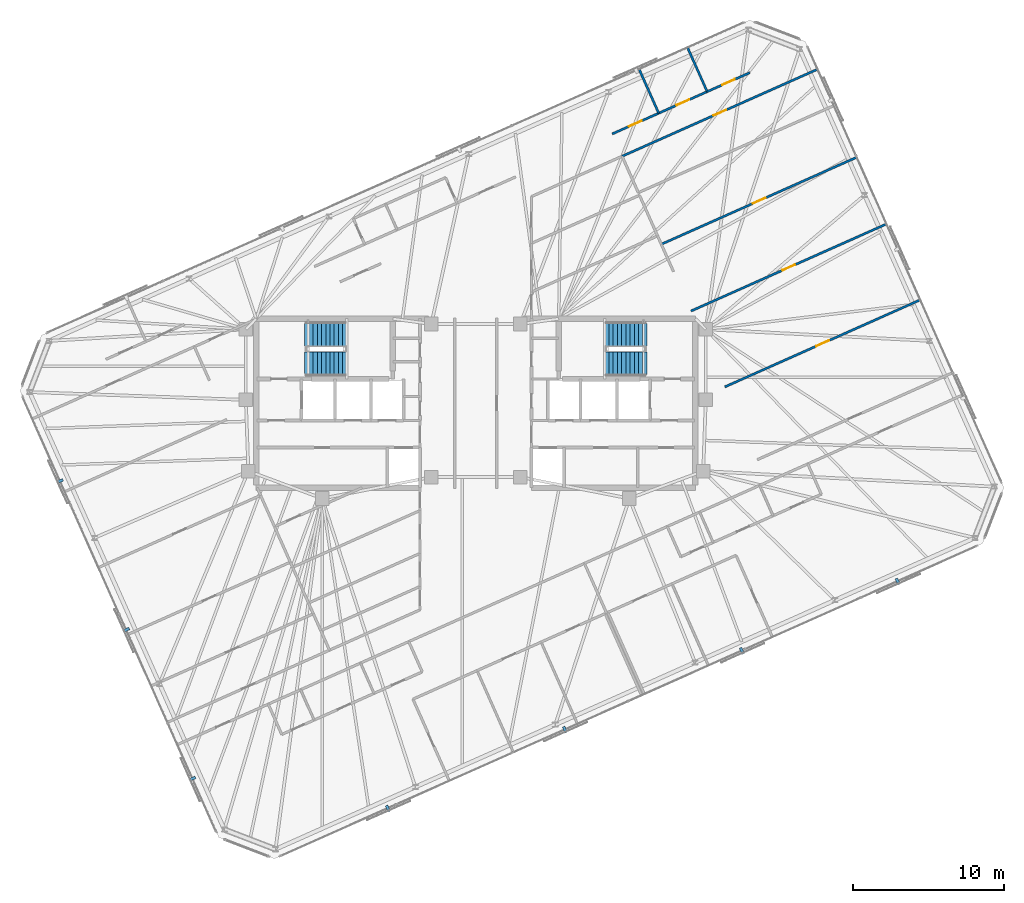
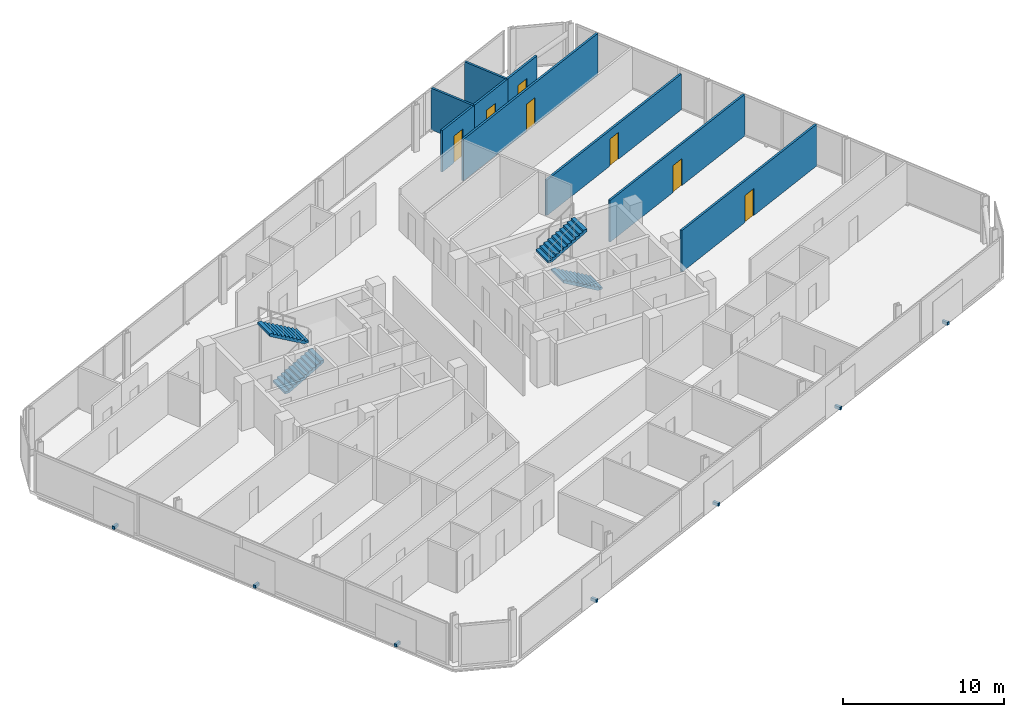
# One storey, part 17 of 19: 9 walls, 7 discrete accessories, 7 doors, 4 stair flights, 7 openings, 2 elements without a shape of their own.
"""IFC4 building model written with IfcOpenShell, lengths in metres."""

import ifcopenshell
import ifcopenshell.guid

model = None  # the IFC model being written
_history = None  # IfcOwnerHistory: only IFC2X3 demands one
_inside = {}  # id of a spatial element -> (the spatial element, [elements in it])
_under = {}  # id of a project, library or spatial element -> (it, [spatial elements below it])
_declared = {}  # id of a project -> (the project, [libraries it declares])
_typed = {}  # id of a type object -> (the type object, [elements of that type])
_made_of = {}  # id of a material, layer set ... -> (it, [elements and type objects made of it])


def new_model(schema):
    """Start an empty IFC model of exactly this schema.

    Asked for "IFC4X3", IfcOpenShell would pick the latest addendum, in which some entities
    have other attributes; the version numbers below select the first issue.
    IFC2X3 requires an IfcOwnerHistory on every rooted entity: one is made here for all.
    """
    global model, _history
    if schema == "IFC4X3":
        model = ifcopenshell.file(schema_version=(4, 3, 0, 0))
    else:
        model = ifcopenshell.file(schema=schema)
    _inside.clear()
    _under.clear()
    _declared.clear()
    _typed.clear()
    _made_of.clear()
    _history = None
    if model.schema == "IFC2X3":
        org = make("IfcOrganization", Name="unknown")
        user = make(
            "IfcPersonAndOrganization",
            ThePerson=make("IfcPerson", FamilyName="unknown"),
            TheOrganization=org,
        )
        app = make(
            "IfcApplication",
            ApplicationDeveloper=org,
            Version="unknown",
            ApplicationFullName="unknown",
            ApplicationIdentifier="unknown",
        )
        _history = make(
            "IfcOwnerHistory",
            OwningUser=user,
            OwningApplication=app,
            ChangeAction="ADDED",
            CreationDate=0,
        )
    return model


def make(cls, **values):
    """One entity of the class cls with the attributes given. An attribute that is None is left unset."""
    return model.create_entity(
        cls, **{name: value for name, value in values.items() if value is not None}
    )


def rooted(cls, **values):
    """An entity with a GlobalId (a new one), such as an element, a storey or a relation."""
    return make(cls, GlobalId=ifcopenshell.guid.new(), OwnerHistory=_history, **values)


def si_unit(unit_type, name, prefix=None):
    """IfcSIUnit, for example si_unit("LENGTHUNIT", "METRE", prefix="MILLI")."""
    return make("IfcSIUnit", UnitType=unit_type, Prefix=prefix, Name=name)


def assignment(units):
    """IfcUnitAssignment: the units of a project."""
    return None if units is None else make("IfcUnitAssignment", Units=units)


def point(xyz):
    """IfcCartesianPoint."""
    return None if xyz is None else make("IfcCartesianPoint", Coordinates=xyz)


def direction(xyz):
    """IfcDirection."""
    return None if xyz is None else make("IfcDirection", DirectionRatios=xyz)


def frame(location, z_axis=None, x_axis=None):
    """IfcAxis2Placement3D, a coordinate frame: its origin and axes. An axis left out is left unset."""
    return make(
        "IfcAxis2Placement3D",
        Location=point(location),
        Axis=direction(z_axis),
        RefDirection=direction(x_axis),
    )


def frame_2d(location, x_axis=None):
    """IfcAxis2Placement2D, a coordinate frame in the plane: its origin and x axis."""
    return make(
        "IfcAxis2Placement2D", Location=point(location), RefDirection=direction(x_axis)
    )


def origin():
    """The frame at (0, 0, 0) with its axes left unset."""
    return frame((0.0, 0.0, 0.0))


def origin_2d():
    """The frame at (0, 0) in the plane with its x axis left unset."""
    return frame_2d((0.0, 0.0))


def place(relative_to, where):
    """IfcLocalPlacement: puts the frame where relative to a parent placement (None: the world)."""
    return make(
        "IfcLocalPlacement", PlacementRelTo=relative_to, RelativePlacement=where
    )


def context(
    kind, dimensions, precision=None, world=None, true_north=None, identifier=None
):
    """IfcGeometricRepresentationContext, for example the 3D "Model" context."""
    return make(
        "IfcGeometricRepresentationContext",
        ContextIdentifier=identifier,
        ContextType=kind,
        CoordinateSpaceDimension=dimensions,
        Precision=precision,
        WorldCoordinateSystem=world,
        TrueNorth=true_north,
    )


def subcontext(parent, identifier, kind, view, scale=None):
    """IfcGeometricRepresentationSubContext, for example "Body" below "Model"."""
    return make(
        "IfcGeometricRepresentationSubContext",
        ContextIdentifier=identifier,
        ContextType=kind,
        ParentContext=parent,
        TargetScale=scale,
        TargetView=view,
    )


def project(units=None, contexts=None):
    """IfcProject with its units and contexts."""
    return rooted(
        "IfcProject",
        Name="project",
        RepresentationContexts=contexts,
        UnitsInContext=assignment(units),
    )


def spatial(cls, under=None, at=None, **own):
    """A site, building, storey or space (cls), placed at a placement, below another one or the project."""
    s = rooted(cls, ObjectPlacement=at, **own)
    if under is not None:
        _under.setdefault(under.id(), (under, []))[1].append(s)
    return s


def polyline(points):
    """IfcPolyline through the points."""
    return make("IfcPolyline", Points=[point(p) for p in points])


def profile(cls, at=None, kind="AREA", **sizes):
    """A parametric profile (cls). Its sizes go by their IFC names, for example OverallWidth=200.0."""
    return make(cls, ProfileType=kind, Position=at, **sizes)


def rectangle(**sizes):
    """IfcRectangleProfileDef."""
    return profile("IfcRectangleProfileDef", **sizes)


def outline(outer, holes=None, kind="AREA"):
    """IfcArbitraryClosedProfileDef: a profile drawn as a closed curve; with holes, ...WithVoids."""
    if holes is None:
        return make("IfcArbitraryClosedProfileDef", ProfileType=kind, OuterCurve=outer)
    return make(
        "IfcArbitraryProfileDefWithVoids",
        ProfileType=kind,
        OuterCurve=outer,
        InnerCurves=holes,
    )


def extrude(swept, where, along, depth):
    """IfcExtrudedAreaSolid: the profile swept, set in the frame where, extruded along a direction by depth."""
    return make(
        "IfcExtrudedAreaSolid",
        SweptArea=swept,
        Position=where,
        ExtrudedDirection=direction(along),
        Depth=depth,
    )


def shape(context_of_items, identifier, shape_type, items):
    """IfcShapeRepresentation: the items that make up one representation, for example the "Body"."""
    return make(
        "IfcShapeRepresentation",
        ContextOfItems=context_of_items,
        RepresentationIdentifier=identifier,
        RepresentationType=shape_type,
        Items=items,
    )


def material(Name=None, Category=None):
    """IfcMaterial."""
    return make("IfcMaterial", Name=Name, Category=Category)


def layer(
    of_material, thickness, ventilated=None, Name=None, Category=None, Priority=None
):
    """IfcMaterialLayer: one layer of a wall or slab, of a material (None: an air gap)."""
    return make(
        "IfcMaterialLayer",
        Material=of_material,
        LayerThickness=thickness,
        IsVentilated=ventilated,
        Name=Name,
        Category=Category,
        Priority=Priority,
    )


def layer_set(layers, Name=None):
    """IfcMaterialLayerSet."""
    return make("IfcMaterialLayerSet", MaterialLayers=layers, LayerSetName=Name)


def made_of(thing, what):
    """Note that an element or type object is made of a material, layer set ...; save() writes the relation."""
    if what is not None:
        _made_of.setdefault(what.id(), (what, []))[1].append(thing)
    return thing


def type_object(cls, material=None, **own):
    """A type object (cls), such as IfcWallType, which elements share."""
    return made_of(rooted(cls, **own), material)


def element(
    cls,
    number,
    at=None,
    inside=None,
    cuts=None,
    type_object=None,
    material=None,
    context=None,
    identifier="Body",
    shape_type=None,
    held_by="IfcProductDefinitionShape",
    body=None,
    shapes=None,
    **own,
):
    """One element of the class cls, such as IfcWall. Its Tag is "e" and its number.

    at: its placement. inside: the storey or other place that contains it. cuts: it is an
    opening in that element (IfcRelVoidsElement). A single representation is given by context,
    identifier, shape_type and body (its items); several are given by shapes. held_by: the class
    of the entity that holds the representations. save() writes the other relations.
    """
    e = rooted(cls, Tag="e%d" % number, ObjectPlacement=at, **own)
    if body is not None:
        shapes = [shape(context, identifier, shape_type, body)]
    if shapes is not None:
        e.Representation = make(held_by, Representations=shapes)
    if inside is not None:
        _inside.setdefault(inside.id(), (inside, []))[1].append(e)
    if cuts is not None:
        rooted(
            "IfcRelVoidsElement", RelatingBuildingElement=cuts, RelatedOpeningElement=e
        )
    if type_object is not None:
        _typed.setdefault(type_object.id(), (type_object, []))[1].append(e)
    return made_of(e, material)


def fill(opening, filler):
    """IfcRelFillsElement: the door or window that sits in an opening."""
    return rooted(
        "IfcRelFillsElement",
        RelatingOpeningElement=opening,
        RelatedBuildingElement=filler,
    )


def aggregate(whole, parts):
    """IfcRelAggregates: a whole, such as a stair, and the parts it consists of."""
    return rooted("IfcRelAggregates", RelatingObject=whole, RelatedObjects=parts)


def save(model, path):
    """Write the relations noted so far, then the file.

    IfcRelAggregates (storeys below a building ...), IfcRelContainedInSpatialStructure (elements
    in a storey), IfcRelDefinesByType, IfcRelAssociatesMaterial and IfcRelDeclares: one each for
    every whole, place, type object, material and project.
    """
    for whole, parts in _under.values():
        aggregate(whole, parts)
    for where, things in _inside.values():
        rooted(
            "IfcRelContainedInSpatialStructure",
            RelatedElements=things,
            RelatingStructure=where,
        )
    for kind, things in _typed.values():
        rooted("IfcRelDefinesByType", RelatedObjects=things, RelatingType=kind)
    for what, things in _made_of.values():
        rooted("IfcRelAssociatesMaterial", RelatedObjects=things, RelatingMaterial=what)
    for by, libraries in _declared.values():
        rooted("IfcRelDeclares", RelatingContext=by, RelatedDefinitions=libraries)
    model.write(path)


model = new_model("IFC4")

# Units and contexts
model_context = context("Model", 3, precision=1e-05, world=origin(), true_north=direction((0.0, 1.0)))
body_context = subcontext(model_context, "Body", "Model", "MODEL_VIEW")
ifc_project = project(units=[si_unit("LENGTHUNIT", "METRE"), si_unit("AREAUNIT", "SQUARE_METRE"), si_unit("VOLUMEUNIT", "CUBIC_METRE"), si_unit("PLANEANGLEUNIT", "RADIAN"), si_unit("MASSUNIT", "GRAM", prefix="KILO")], contexts=[model_context])

# Site, building, storey
site_placement = place(None, origin())
site = spatial("IfcSite", under=ifc_project, at=site_placement, CompositionType="ELEMENT")
building_placement = place(site_placement, origin())
building = spatial("IfcBuilding", under=site, at=building_placement, Name="Menara Jurai Vektor", CompositionType="ELEMENT")
storey_placement = place(building_placement, frame((0.0, 0.0, 302.0)))
storey = spatial("IfcBuildingStorey", under=building, at=storey_placement, Name="L81", CompositionType="ELEMENT", Elevation=302.0)

# Wall, opening, door
ifc_material_1 = material(Name="Gypsum Fireboard Partition", Category="gypsum")
ifc_layer_1 = layer(ifc_material_1, 0.14990234375)
ifc_layer_set_1 = layer_set([ifc_layer_1], Name="Gypsum Fireboard Partition")
wall_type_1 = type_object("IfcWallType", Name="INT-WALL-CORR-150", PredefinedType="PARTITIONING", material=ifc_layer_set_1)
wall_1_placement = place(storey_placement, frame((9.70263671875, 16.37548828125, 0.0), z_axis=(0.0, 0.0, 1.0), x_axis=(0.913544622417, 0.406738519018, 0.0)))
wall_1 = element("IfcWall", 1, at=wall_1_placement, inside=storey, type_object=wall_type_1, Name="Interior Wall IW-150 L81", PredefinedType="PARTITIONING", context=body_context, shape_type="SweptSolid", body=[
    extrude(rectangle(XDim=14.192138671875, YDim=0.14990234375, at=frame_2d((7.09619140625, 0.0))), origin(), (0.0, 0.0, 1.0), 3.14501953125),
])
opening_1_placement = place(wall_1_placement, frame((6.635986328125, 0.0, 0.0)))
opening_1 = element("IfcOpeningElement", 2, at=opening_1_placement, cuts=wall_1, Name="Opening D81-47", PredefinedType="OPENING", context=body_context, shape_type="SweptSolid", body=[
    extrude(rectangle(XDim=0.919921875, YDim=2.0400390625, at=frame_2d((0.4599609375, 1.02001953125))), frame((0.0, 0.0849609375, 0.0), z_axis=(0.0, -1.0, 0.0), x_axis=(1.0, 0.0, 0.0)), (0.0, 0.0, 1.0), 0.169921875),
])
ifc_material_2 = material(Name="Solid Core Timber Fire Door", Category="wood")
door_type = type_object("IfcDoorType", Name="DR-ENTRY-950", OperationType="NOTDEFINED", PredefinedType="DOOR", material=ifc_material_2)
door_1_placement = place(opening_1_placement, origin())
door_1 = element("IfcDoor", 3, at=door_1_placement, inside=storey, type_object=door_type, Name="Interior Door D81-47", OperationType="SINGLE_SWING_LEFT", OverallHeight=2.0400390625, OverallWidth=0.919921875, PredefinedType="DOOR", context=body_context, shape_type="SweptSolid", body=[
    extrude(rectangle(XDim=0.919921875, YDim=2.0400390625, at=frame_2d((0.4599609375, 1.02001953125))), frame((0.0, 0.02490234375, 0.0), z_axis=(0.0, -1.0, 0.0), x_axis=(1.0, 0.0, 0.0)), (0.0, 0.0, 1.0), 0.050048828125),
])
fill(opening_1, door_1)

wall_2_placement = place(storey_placement, frame((9.043701171875, 17.85546875, 0.0), z_axis=(0.0, 0.0, 1.0), x_axis=(0.913554990523, 0.406715231201, 0.0)))
wall_2 = element("IfcWall", 4, at=wall_2_placement, inside=storey, type_object=wall_type_1, Name="Interior Wall IW-150 L81", PredefinedType="PARTITIONING", context=body_context, shape_type="SweptSolid", body=[
    extrude(rectangle(XDim=3.377197265625, YDim=0.14990234375, at=frame_2d((1.6884765625, 0.0))), origin(), (0.0, 0.0, 1.0), 3.14501953125),
])
opening_2_placement = place(wall_2_placement, frame((1.228515625, 0.0, 0.0)))
opening_2 = element("IfcOpeningElement", 5, at=opening_2_placement, cuts=wall_2, Name="Opening D81-48", PredefinedType="OPENING", context=body_context, shape_type="SweptSolid", body=[
    extrude(rectangle(XDim=0.919921875, YDim=2.0400390625, at=frame_2d((0.4599609375, 1.02001953125))), frame((0.0, 0.0849609375, 0.0), z_axis=(0.0, -1.0, 0.0), x_axis=(1.0, 0.0, 0.0)), (0.0, 0.0, 1.0), 0.169921875),
])
door_2_placement = place(opening_2_placement, origin())
door_2 = element("IfcDoor", 6, at=door_2_placement, inside=storey, type_object=door_type, Name="Interior Door D81-48", OperationType="SINGLE_SWING_RIGHT", OverallHeight=2.0400390625, OverallWidth=0.919921875, PredefinedType="DOOR", context=body_context, shape_type="SweptSolid", body=[
    extrude(rectangle(XDim=0.919921875, YDim=2.0400390625, at=frame_2d((0.4599609375, 1.02001953125))), frame((0.0, 0.02490234375, 0.0), z_axis=(0.0, -1.0, 0.0), x_axis=(1.0, 0.0, 0.0)), (0.0, 0.0, 1.0), 0.050048828125),
])
fill(opening_2, door_2)

wall_3_placement = place(storey_placement, frame((12.12890625, 19.22900390625, 0.0), z_axis=(0.0, 0.0, 1.0), x_axis=(0.913545210441, 0.406737198298, 0.0)))
wall_3 = element("IfcWall", 7, at=wall_3_placement, inside=storey, type_object=wall_type_1, Name="Interior Wall IW-150 L81", PredefinedType="PARTITIONING", context=body_context, shape_type="SweptSolid", body=[
    extrude(rectangle(XDim=3.51806640625, YDim=0.14990234375, at=frame_2d((1.759033203125, 0.0))), origin(), (0.0, 0.0, 1.0), 3.14501953125),
])
opening_3_placement = place(wall_3_placement, frame((1.299072265625, 0.0, 0.0)))
opening_3 = element("IfcOpeningElement", 8, at=opening_3_placement, cuts=wall_3, Name="Opening D81-49", PredefinedType="OPENING", context=body_context, shape_type="SweptSolid", body=[
    extrude(rectangle(XDim=0.919921875, YDim=2.0400390625, at=frame_2d((0.4599609375, 1.02001953125))), frame((0.0, 0.0849609375, 0.0), z_axis=(0.0, -1.0, 0.0), x_axis=(1.0, 0.0, 0.0)), (0.0, 0.0, 1.0), 0.169921875),
])
door_3_placement = place(opening_3_placement, origin())
door_3 = element("IfcDoor", 9, at=door_3_placement, inside=storey, type_object=door_type, Name="Interior Door D81-49", OperationType="SINGLE_SWING_LEFT", OverallHeight=2.0400390625, OverallWidth=0.919921875, PredefinedType="DOOR", context=body_context, shape_type="SweptSolid", body=[
    extrude(rectangle(XDim=0.919921875, YDim=2.0400390625, at=frame_2d((0.4599609375, 1.02001953125))), frame((0.0, 0.02490234375, 0.0), z_axis=(0.0, -1.0, 0.0), x_axis=(1.0, 0.0, 0.0)), (0.0, 0.0, 1.0), 0.050048828125),
])
fill(opening_3, door_3)

wall_4_placement = place(storey_placement, frame((15.3427734375, 20.659912109375, 0.0), z_axis=(0.0, 0.0, 1.0), x_axis=(0.913531658173, 0.406767635778, 0.0)))
wall_4 = element("IfcWall", 10, at=wall_4_placement, inside=storey, type_object=wall_type_1, Name="Interior Wall IW-150 L81", PredefinedType="PARTITIONING", context=body_context, shape_type="SweptSolid", body=[
    extrude(rectangle(XDim=3.095703125, YDim=0.14990234375, at=frame_2d((1.5478515625, 0.0))), origin(), (0.0, 0.0, 1.0), 3.14501953125),
])
opening_4_placement = place(wall_4_placement, frame((1.087890625, 0.0, 0.0)))
opening_4 = element("IfcOpeningElement", 11, at=opening_4_placement, cuts=wall_4, Name="Opening D81-50", PredefinedType="OPENING", context=body_context, shape_type="SweptSolid", body=[
    extrude(rectangle(XDim=0.919921875, YDim=2.0400390625, at=frame_2d((0.4599609375, 1.02001953125))), frame((0.0, 0.0849609375, 0.0), z_axis=(0.0, -1.0, 0.0), x_axis=(1.0, 0.0, 0.0)), (0.0, 0.0, 1.0), 0.169921875),
])
door_4_placement = place(opening_4_placement, origin())
door_4 = element("IfcDoor", 12, at=door_4_placement, inside=storey, type_object=door_type, Name="Interior Door D81-50", OperationType="SINGLE_SWING_RIGHT", OverallHeight=2.0400390625, OverallWidth=0.919921875, PredefinedType="DOOR", context=body_context, shape_type="SweptSolid", body=[
    extrude(rectangle(XDim=0.919921875, YDim=2.0400390625, at=frame_2d((0.4599609375, 1.02001953125))), frame((0.0, 0.02490234375, 0.0), z_axis=(0.0, -1.0, 0.0), x_axis=(1.0, 0.0, 0.0)), (0.0, 0.0, 1.0), 0.050048828125),
])
fill(opening_4, door_4)

wall_5_placement = place(storey_placement, frame((16.51171875, 1.081787109375, 0.0), z_axis=(0.0, 0.0, 1.0), x_axis=(0.913544622417, 0.406738519018, 0.0)))
wall_5 = element("IfcWall", 13, at=wall_5_placement, inside=storey, type_object=wall_type_1, Name="Interior Wall IW-150 L81", PredefinedType="PARTITIONING", context=body_context, shape_type="SweptSolid", body=[
    extrude(rectangle(XDim=14.192138671875, YDim=0.14990234375, at=frame_2d((7.09619140625, 0.0))), origin(), (0.0, 0.0, 1.0), 3.14501953125),
])
opening_5_placement = place(wall_5_placement, frame((6.635986328125, 0.0, 0.0)))
opening_5 = element("IfcOpeningElement", 14, at=opening_5_placement, cuts=wall_5, Name="Opening D81-44", PredefinedType="OPENING", context=body_context, shape_type="SweptSolid", body=[
    extrude(rectangle(XDim=0.919921875, YDim=2.0400390625, at=frame_2d((0.4599609375, 1.02001953125))), frame((0.0, 0.0849609375, 0.0), z_axis=(0.0, -1.0, 0.0), x_axis=(1.0, 0.0, 0.0)), (0.0, 0.0, 1.0), 0.169921875),
])
door_5_placement = place(opening_5_placement, origin())
door_5 = element("IfcDoor", 15, at=door_5_placement, inside=storey, type_object=door_type, Name="Interior Door D81-44", OperationType="SINGLE_SWING_RIGHT", OverallHeight=2.0400390625, OverallWidth=0.919921875, PredefinedType="DOOR", context=body_context, shape_type="SweptSolid", body=[
    extrude(rectangle(XDim=0.919921875, YDim=2.0400390625, at=frame_2d((0.4599609375, 1.02001953125))), frame((0.0, 0.02490234375, 0.0), z_axis=(0.0, -1.0, 0.0), x_axis=(1.0, 0.0, 0.0)), (0.0, 0.0, 1.0), 0.050048828125),
])
fill(opening_5, door_5)

wall_6_placement = place(storey_placement, frame((14.27197265625, 6.11279296875, 0.0), z_axis=(0.0, 0.0, 1.0), x_axis=(0.913551014388, 0.406724162191, 0.0)))
wall_6 = element("IfcWall", 16, at=wall_6_placement, inside=storey, type_object=wall_type_1, Name="Interior Wall IW-150 L81", PredefinedType="PARTITIONING", context=body_context, shape_type="SweptSolid", body=[
    extrude(rectangle(XDim=14.19189453125, YDim=0.14990234375, at=frame_2d((7.095947265625, 0.0))), origin(), (0.0, 0.0, 1.0), 3.14501953125),
])
opening_6_placement = place(wall_6_placement, frame((6.635986328125, 0.0, 0.0)))
opening_6 = element("IfcOpeningElement", 17, at=opening_6_placement, cuts=wall_6, Name="Opening D81-45", PredefinedType="OPENING", context=body_context, shape_type="SweptSolid", body=[
    extrude(rectangle(XDim=0.919921875, YDim=2.0400390625, at=frame_2d((0.4599609375, 1.02001953125))), frame((0.0, 0.0849609375, 0.0), z_axis=(0.0, -1.0, 0.0), x_axis=(1.0, 0.0, 0.0)), (0.0, 0.0, 1.0), 0.169921875),
])
door_6_placement = place(opening_6_placement, origin())
door_6 = element("IfcDoor", 18, at=door_6_placement, inside=storey, type_object=door_type, Name="Interior Door D81-45", OperationType="SINGLE_SWING_LEFT", OverallHeight=2.0400390625, OverallWidth=0.919921875, PredefinedType="DOOR", context=body_context, shape_type="SweptSolid", body=[
    extrude(rectangle(XDim=0.919921875, YDim=2.0400390625, at=frame_2d((0.4599609375, 1.02001953125))), frame((0.0, 0.02490234375, 0.0), z_axis=(0.0, -1.0, 0.0), x_axis=(1.0, 0.0, 0.0)), (0.0, 0.0, 1.0), 0.050048828125),
])
fill(opening_6, door_6)

# Walls
for number, where, z_axis, x_axis, name in (
    (19, (12.12890625, 19.22900390625, 0.0), (0.0, 0.0, 1.0), (-0.406761717745, 0.913534293268, 0.0), "Interior Wall IW-150 L81"),
    (20, (15.3427734375, 20.659912109375, 0.0), (0.0, 0.0, 1.0), (-0.406761717745, 0.913534293268, 0.0), "Interior Wall IW-150 L81"),
):
    element("IfcWall", number, at=place(storey_placement, frame(where, z_axis=z_axis, x_axis=x_axis)), inside=storey, type_object=wall_type_1, Name=name, PredefinedType="PARTITIONING", context=body_context, shape_type="SweptSolid", body=[
        extrude(rectangle(XDim=3.197998046875, YDim=0.14990234375, at=frame_2d((1.59912109375, 0.0))), origin(), (0.0, 0.0, 1.0), 3.14501953125),
    ])

# Wall, opening, door
ifc_layer_2 = layer(ifc_material_1, 0.14990234375)
ifc_layer_set_2 = layer_set([ifc_layer_2], Name="Gypsum Fireboard Partition")
wall_type_2 = type_object("IfcWallType", Name="INT-WALL-CORR-150-H1", PredefinedType="PARTITIONING", material=ifc_layer_set_2)
wall_7_placement = place(storey_placement, frame((12.30078125, 10.539794921875, 0.0), z_axis=(0.0, 0.0, 1.0), x_axis=(0.913544622417, 0.406738519018, 0.0)))
wall_7 = element("IfcWall", 21, at=wall_7_placement, inside=storey, type_object=wall_type_2, Name="Interior Wall IW-150 L81", PredefinedType="PARTITIONING", context=body_context, shape_type="SweptSolid", body=[
    extrude(rectangle(XDim=14.192138671875, YDim=0.14990234375, at=frame_2d((7.09619140625, 0.0))), origin(), (0.0, 0.0, 1.0), 2.695068359375),
])
opening_7_placement = place(wall_7_placement, frame((6.635986328125, 0.0, 0.0)))
opening_7 = element("IfcOpeningElement", 22, at=opening_7_placement, cuts=wall_7, Name="Opening D81-46", PredefinedType="OPENING", context=body_context, shape_type="SweptSolid", body=[
    extrude(rectangle(XDim=0.919921875, YDim=2.0400390625, at=frame_2d((0.4599609375, 1.02001953125))), frame((0.0, 0.0849609375, 0.0), z_axis=(0.0, -1.0, 0.0), x_axis=(1.0, 0.0, 0.0)), (0.0, 0.0, 1.0), 0.169921875),
])
door_7_placement = place(opening_7_placement, origin())
door_7 = element("IfcDoor", 23, at=door_7_placement, inside=storey, type_object=door_type, Name="Interior Door D81-46", OperationType="SINGLE_SWING_RIGHT", OverallHeight=2.0400390625, OverallWidth=0.919921875, PredefinedType="DOOR", context=body_context, shape_type="SweptSolid", body=[
    extrude(rectangle(XDim=0.919921875, YDim=2.0400390625, at=frame_2d((0.4599609375, 1.02001953125))), frame((0.0, 0.02490234375, 0.0), z_axis=(0.0, -1.0, 0.0), x_axis=(1.0, 0.0, 0.0)), (0.0, 0.0, 1.0), 0.050048828125),
])
fill(opening_7, door_7)

# Stair, stair flights
ifc_material_3 = material(Name="Concrete C40/50", Category="concrete")
stair_type = type_object("IfcStairType", Name="STAIR-DOGLEG-1500", PredefinedType="HALF_TURN_STAIR", material=ifc_material_3)
stair_1_placement = place(storey_placement, origin())
stair_1 = element("IfcStair", 24, at=stair_1_placement, inside=storey, type_object=stair_type, Name="Protected Exit Stair ST1 L81", PredefinedType="HALF_TURN_STAIR")
stair_flight_type = type_object("IfcStairFlightType", Name="STAIR-FLIGHT-1500", PredefinedType="STRAIGHT", material=ifc_material_3)
stair_flight_1_placement = place(storey_placement, frame((-11.35009765625, 2.64990234375, 0.0), z_axis=(0.0, 0.0, 1.0), x_axis=(1.0, 0.0, 0.0)))
stair_flight_1 = element("IfcStairFlight", 25, at=stair_flight_1_placement, type_object=stair_flight_type, Name="ST1 flight 1", NumberOfRisers=11, NumberOfTreads=10, PredefinedType="STRAIGHT", RiserHeight=0.161364, TreadLength=0.28, context=body_context, shape_type="SweptSolid", body=[
    extrude(outline(polyline([(0.0, 0.0), (0.0, 0.161376953125), (0.280029296875, 0.161376953125), (0.280029296875, 0.32275390625), (0.56005859375, 0.32275390625), (0.56005859375, 0.484130859375), (0.840087890625, 0.484130859375), (0.840087890625, 0.6455078125), (1.1201171875, 0.6455078125), (1.1201171875, 0.806884765625), (1.39990234375, 0.806884765625), (1.39990234375, 0.96826171875), (1.679931640625, 0.96826171875), (1.679931640625, 1.129638671875), (1.9599609375, 1.129638671875), (1.9599609375, 1.291015625), (2.239990234375, 1.291015625), (2.239990234375, 1.452392578125), (2.52001953125, 1.452392578125), (2.52001953125, 1.613525390625), (2.800048828125, 1.613525390625), (2.800048828125, 1.77490234375), (2.800048828125, 1.428955078125), (0.3203125, 0.0), (0.0, 0.0)])), frame((0.0, 0.75, 0.0), z_axis=(0.0, -1.0, 0.0), x_axis=(1.0, 0.0, 0.0)), (0.0, 0.0, 1.0), 1.5),
])
stair_flight_2_placement = place(storey_placement, frame((-8.550048828125, 4.550048828125, 1.77490234375), z_axis=(0.0, 0.0, 1.0), x_axis=(-1.0, 0.0, 0.0)))
stair_flight_2 = element("IfcStairFlight", 26, at=stair_flight_2_placement, type_object=stair_flight_type, Name="ST1 flight 2", NumberOfRisers=11, NumberOfTreads=10, PredefinedType="STRAIGHT", RiserHeight=0.161364, TreadLength=0.28, context=body_context, shape_type="SweptSolid", body=[
    extrude(outline(polyline([(0.0, 0.0), (0.0, 0.161376953125), (0.280029296875, 0.161376953125), (0.280029296875, 0.32275390625), (0.56005859375, 0.32275390625), (0.56005859375, 0.484130859375), (0.840087890625, 0.484130859375), (0.840087890625, 0.6455078125), (1.1201171875, 0.6455078125), (1.1201171875, 0.806884765625), (1.39990234375, 0.806884765625), (1.39990234375, 0.96826171875), (1.679931640625, 0.96826171875), (1.679931640625, 1.129638671875), (1.9599609375, 1.129638671875), (1.9599609375, 1.291015625), (2.239990234375, 1.291015625), (2.239990234375, 1.452392578125), (2.52001953125, 1.452392578125), (2.52001953125, 1.613525390625), (2.800048828125, 1.613525390625), (2.800048828125, 1.77490234375), (2.800048828125, 1.428955078125), (0.3203125, 0.0), (0.0, 0.0)])), frame((0.0, 0.75, 0.0), z_axis=(0.0, -1.0, 0.0), x_axis=(1.0, 0.0, 0.0)), (0.0, 0.0, 1.0), 1.5),
])
aggregate(stair_1, [stair_flight_1, stair_flight_2])

stair_2_placement = place(storey_placement, origin())
stair_2 = element("IfcStair", 27, at=stair_2_placement, inside=storey, type_object=stair_type, Name="Protected Exit Stair ST2 L81", PredefinedType="HALF_TURN_STAIR")
stair_flight_3_placement = place(storey_placement, frame((11.35009765625, 2.64990234375, 0.0), z_axis=(0.0, 0.0, 1.0), x_axis=(-1.0, 0.0, 0.0)))
stair_flight_3 = element("IfcStairFlight", 28, at=stair_flight_3_placement, type_object=stair_flight_type, Name="ST2 flight 1", NumberOfRisers=11, NumberOfTreads=10, PredefinedType="STRAIGHT", RiserHeight=0.161364, TreadLength=0.28, context=body_context, shape_type="SweptSolid", body=[
    extrude(outline(polyline([(0.0, 0.0), (0.0, 0.161376953125), (0.280029296875, 0.161376953125), (0.280029296875, 0.32275390625), (0.56005859375, 0.32275390625), (0.56005859375, 0.484130859375), (0.840087890625, 0.484130859375), (0.840087890625, 0.6455078125), (1.1201171875, 0.6455078125), (1.1201171875, 0.806884765625), (1.39990234375, 0.806884765625), (1.39990234375, 0.96826171875), (1.679931640625, 0.96826171875), (1.679931640625, 1.129638671875), (1.9599609375, 1.129638671875), (1.9599609375, 1.291015625), (2.239990234375, 1.291015625), (2.239990234375, 1.452392578125), (2.52001953125, 1.452392578125), (2.52001953125, 1.613525390625), (2.800048828125, 1.613525390625), (2.800048828125, 1.77490234375), (2.800048828125, 1.428955078125), (0.3203125, 0.0), (0.0, 0.0)])), frame((0.0, 0.75, 0.0), z_axis=(0.0, -1.0, 0.0), x_axis=(1.0, 0.0, 0.0)), (0.0, 0.0, 1.0), 1.5),
])
stair_flight_4_placement = place(storey_placement, frame((8.550048828125, 4.550048828125, 1.77490234375), z_axis=(0.0, 0.0, 1.0), x_axis=(1.0, 0.0, 0.0)))
stair_flight_4 = element("IfcStairFlight", 29, at=stair_flight_4_placement, type_object=stair_flight_type, Name="ST2 flight 2", NumberOfRisers=11, NumberOfTreads=10, PredefinedType="STRAIGHT", RiserHeight=0.161364, TreadLength=0.28, context=body_context, shape_type="SweptSolid", body=[
    extrude(outline(polyline([(0.0, 0.0), (0.0, 0.161376953125), (0.280029296875, 0.161376953125), (0.280029296875, 0.32275390625), (0.56005859375, 0.32275390625), (0.56005859375, 0.484130859375), (0.840087890625, 0.484130859375), (0.840087890625, 0.6455078125), (1.1201171875, 0.6455078125), (1.1201171875, 0.806884765625), (1.39990234375, 0.806884765625), (1.39990234375, 0.96826171875), (1.679931640625, 0.96826171875), (1.679931640625, 1.129638671875), (1.9599609375, 1.129638671875), (1.9599609375, 1.291015625), (2.239990234375, 1.291015625), (2.239990234375, 1.452392578125), (2.52001953125, 1.452392578125), (2.52001953125, 1.613525390625), (2.800048828125, 1.613525390625), (2.800048828125, 1.77490234375), (2.800048828125, 1.428955078125), (0.3203125, 0.0), (0.0, 0.0)])), frame((0.0, 0.75, 0.0), z_axis=(0.0, -1.0, 0.0), x_axis=(1.0, 0.0, 0.0)), (0.0, 0.0, 1.0), 1.5),
])
aggregate(stair_2, [stair_flight_3, stair_flight_4])

# Discrete accessories
ifc_material_4 = material(Name="Steel S355", Category="steel")
discrete_accessory_type = type_object("IfcDiscreteAccessoryType", Name="ENV-ACC-BRACKET", PredefinedType="BRACKET", material=ifc_material_4)
for number, where, z_axis, x_axis, name in (
    (30, (-5.8330078125, -26.87451171875, -0.1298828125), (0.0, 0.0, 1.0), (0.913545457643, 0.406736643076, 0.0), "Solar Screen Stand-Off Bracket L81-S01"),
    (31, (5.906005859375, -21.648193359375, -0.1298828125), (0.0, 0.0, 1.0), (0.913545457643, 0.406736643076, 0.0), "Solar Screen Stand-Off Bracket L81-S02"),
    (32, (17.64501953125, -16.42138671875, -0.1298828125), (0.0, 0.0, 1.0), (0.913545457643, 0.406736643076, 0.0), "Solar Screen Stand-Off Bracket L81-S03"),
    (33, (27.975341796875, -11.822021484375, -0.1298828125), (0.0, 0.0, 1.0), (0.913545457643, 0.406736643076, 0.0), "Solar Screen Stand-Off Bracket L81-S04"),
    (34, (-27.57666015625, -5.165771484375, -0.1298828125), (0.0, 0.0, 1.0), (0.406736643076, -0.913545457643, 0.0), "Solar Screen Stand-Off Bracket L81-S12"),
    (35, (-23.183837890625, -15.031982421875, -0.1298828125), (0.0, 0.0, 1.0), (0.406736643076, -0.913545457643, 0.0), "Solar Screen Stand-Off Bracket L81-S13"),
    (36, (-18.791259765625, -24.898193359375, -0.1298828125), (0.0, 0.0, 1.0), (0.406736643076, -0.913545457643, 0.0), "Solar Screen Stand-Off Bracket L81-S14"),
):
    element("IfcDiscreteAccessory", number, at=place(storey_placement, frame(where, z_axis=z_axis, x_axis=x_axis)), inside=storey, type_object=discrete_accessory_type, Name=name, PredefinedType="BRACKET", context=body_context, shape_type="SweptSolid", body=[
        extrude(rectangle(XDim=0.179931640625, YDim=0.43994140625, at=origin_2d()), origin(), (0.0, 0.0, 1.0), 0.219970703125),
    ])

save(model, "model.ifc")
